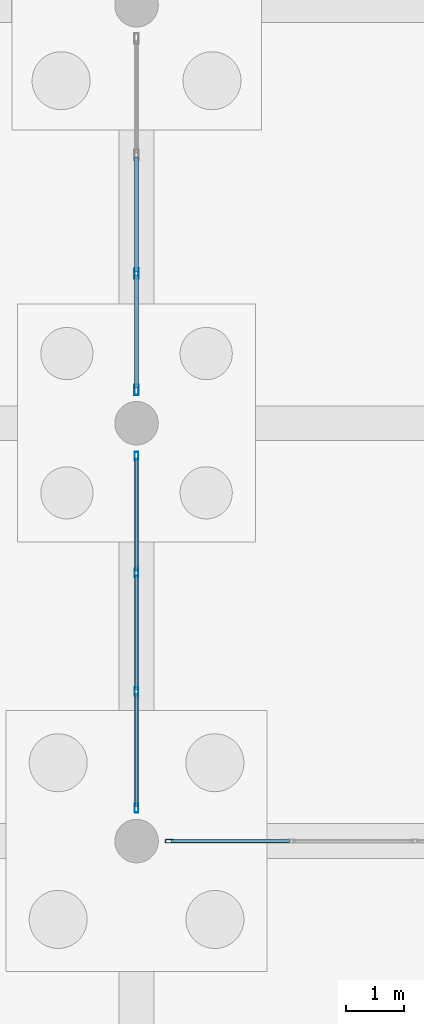
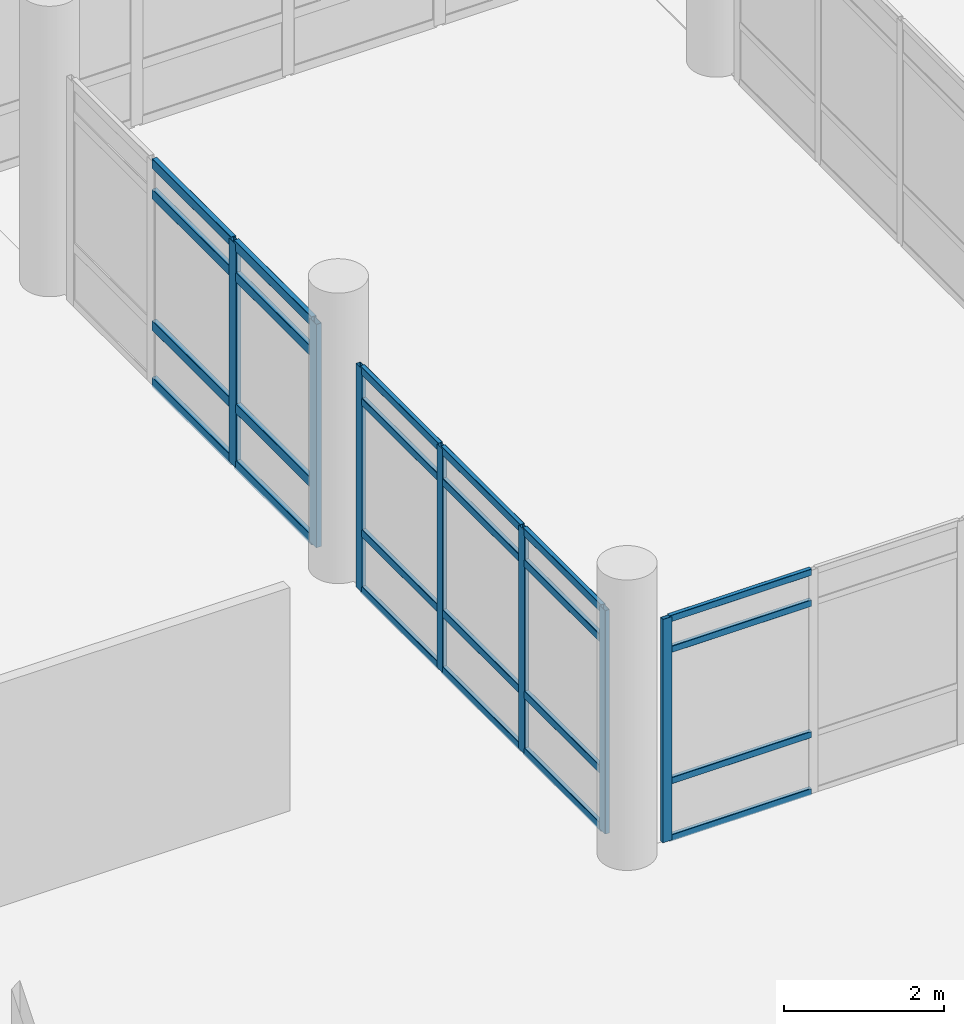
# One storey, part 71 of 196: 31 members, 3 elements without a shape of their own.
"""IFC4 building model written with IfcOpenShell, lengths in metres."""

from ifc_helpers import new_model, si_unit, direction, frame, origin, origin_2d, place, context, subcontext, project, spatial, hollow_rectangle, extrude, material, layer, layer_set, material_profile, profile_set, type_object, element, aggregate, save


model = new_model("IFC4")

# Units and contexts
model_context = context("Model", 3, precision=1e-05, world=origin(), true_north=direction((0.0, 1.0)))
body_context = subcontext(model_context, "Body", "Model", "MODEL_VIEW")
ifc_project = project(units=[si_unit("LENGTHUNIT", "METRE"), si_unit("AREAUNIT", "SQUARE_METRE"), si_unit("VOLUMEUNIT", "CUBIC_METRE"), si_unit("PLANEANGLEUNIT", "RADIAN"), si_unit("MASSUNIT", "GRAM", prefix="KILO")], contexts=[model_context])

# Site, building, storey
site_placement = place(None, origin())
site = spatial("IfcSite", under=ifc_project, at=site_placement, CompositionType="ELEMENT")
building_placement = place(site_placement, origin())
building = spatial("IfcBuilding", under=site, at=building_placement, Name="Asteropetra Specialist Clinic", CompositionType="ELEMENT")
storey_placement = place(building_placement, origin())
storey = spatial("IfcBuildingStorey", under=building, at=storey_placement, Name="L00", CompositionType="ELEMENT", Elevation=0.0)

# Curtain wall, member
ifc_material_1 = material(Name="Aluminium and low-E glass", Category="aluminium")
ifc_layer_1 = layer(ifc_material_1, 0.14990234375)
ifc_layer_set_1 = layer_set([ifc_layer_1], Name="Aluminium and low-E glass")
curtain_wall_type_1 = type_object("IfcCurtainWallType", Name="CW-SYS-08", PredefinedType="USERDEFINED", material=ifc_layer_set_1)
curtain_wall_1_placement = place(storey_placement, origin())
curtain_wall_1 = element("IfcCurtainWall", 1, at=curtain_wall_1_placement, inside=storey, type_object=curtain_wall_type_1, Name="Curtain Wall CW-065", ObjectType="STICK GLAZED COLONNADE", PredefinedType="USERDEFINED")
ifc_material_2 = material(Name="Aluminium 6063-T6", Category="aluminium")
ifc_material_profile_1 = material_profile(ifc_material_2, hollow_rectangle(XDim=0.06005859375, YDim=0.135009765625, WallThickness=0.00341796875, InnerFilletRadius=0.00341796875, OuterFilletRadius=0.007080078125, at=origin_2d()), Name="MUL 135x60x3.5")
ifc_profile_set_1 = profile_set([ifc_material_profile_1], Name="Aluminium 6063-T6")
member_type_1 = type_object("IfcMemberType", Name="CWM-135x60", PredefinedType="MULLION", material=ifc_profile_set_1)
member_1_placement = place(storey_placement, frame((125.364990234375, 19.199951171875, 0.0), z_axis=(0.0, 0.0, 1.0), x_axis=(0.0, 1.0, 0.0)))
member_1 = element("IfcMember", 2, at=member_1_placement, type_object=member_type_1, Name="CW-065 mullion 1", PredefinedType="MULLION", context=body_context, shape_type="SweptSolid", body=[
    extrude(hollow_rectangle(XDim=0.06005859375, YDim=0.135009765625, WallThickness=0.00341796875, InnerFilletRadius=0.00341796875, OuterFilletRadius=0.007080078125, at=origin_2d()), origin(), (0.0, 0.0, 1.0), 3.39990234375),
])

# Curtain wall, members
ifc_material_3 = material(Name="Aluminium and low-E glass", Category="aluminium")
ifc_layer_2 = layer(ifc_material_3, 0.179931640625)
ifc_layer_set_2 = layer_set([ifc_layer_2], Name="Aluminium and low-E glass")
curtain_wall_type_2 = type_object("IfcCurtainWallType", Name="CW-SYS-10", PredefinedType="USERDEFINED", material=ifc_layer_set_2)
curtain_wall_2_placement = place(storey_placement, origin())
curtain_wall_2 = element("IfcCurtainWall", 3, at=curtain_wall_2_placement, inside=storey, type_object=curtain_wall_type_2, Name="Curtain Wall CW-067", ObjectType="STICK GLAZED COLONNADE", PredefinedType="USERDEFINED")
ifc_material_4 = material(Name="Aluminium 6063-T6", Category="aluminium")
ifc_material_profile_2 = material_profile(ifc_material_4, hollow_rectangle(XDim=0.06494140625, YDim=0.14990234375, WallThickness=0.00390625, InnerFilletRadius=0.00390625, OuterFilletRadius=0.008056640625, at=origin_2d()), Name="MUL 150x65x4.0")
ifc_profile_set_2 = profile_set([ifc_material_profile_2], Name="Aluminium 6063-T6")
member_type_2 = type_object("IfcMemberType", Name="CWM-150x65", PredefinedType="MULLION", material=ifc_profile_set_2)
member_2_placement = place(storey_placement, frame((124.800048828125, 25.83251953125, 0.0), z_axis=(0.0, 0.0, 1.0), x_axis=(1.0, 0.0, 0.0)))
member_2 = element("IfcMember", 4, at=member_2_placement, type_object=member_type_2, Name="CW-067 mullion 1", PredefinedType="MULLION", context=body_context, shape_type="SweptSolid", body=[
    extrude(hollow_rectangle(XDim=0.06494140625, YDim=0.14990234375, WallThickness=0.00390625, InnerFilletRadius=0.00390625, OuterFilletRadius=0.008056640625, at=origin_2d()), origin(), (0.0, 0.0, 1.0), 3.39990234375),
])
member_3_placement = place(storey_placement, frame((124.800048828125, 23.82177734375, 0.0), z_axis=(0.0, 0.0, 1.0), x_axis=(1.0, 0.0, 0.0)))
member_3 = element("IfcMember", 5, at=member_3_placement, type_object=member_type_2, Name="CW-067 mullion 2", PredefinedType="MULLION", context=body_context, shape_type="SweptSolid", body=[
    extrude(hollow_rectangle(XDim=0.06494140625, YDim=0.14990234375, WallThickness=0.00390625, InnerFilletRadius=0.00390625, OuterFilletRadius=0.008056640625, at=origin_2d()), origin(), (0.0, 0.0, 1.0), 3.39990234375),
])
member_4_placement = place(storey_placement, frame((124.800048828125, 21.7783203125, 0.0), z_axis=(0.0, 0.0, 1.0), x_axis=(1.0, 0.0, 0.0)))
member_4 = element("IfcMember", 6, at=member_4_placement, type_object=member_type_2, Name="CW-067 mullion 3", PredefinedType="MULLION", context=body_context, shape_type="SweptSolid", body=[
    extrude(hollow_rectangle(XDim=0.06494140625, YDim=0.14990234375, WallThickness=0.00390625, InnerFilletRadius=0.00390625, OuterFilletRadius=0.008056640625, at=origin_2d()), origin(), (0.0, 0.0, 1.0), 3.39990234375),
])
member_5_placement = place(storey_placement, frame((124.800048828125, 19.767578125, 0.0), z_axis=(0.0, 0.0, 1.0), x_axis=(1.0, 0.0, 0.0)))
member_5 = element("IfcMember", 7, at=member_5_placement, type_object=member_type_2, Name="CW-067 mullion 4", PredefinedType="MULLION", context=body_context, shape_type="SweptSolid", body=[
    extrude(hollow_rectangle(XDim=0.06494140625, YDim=0.14990234375, WallThickness=0.00390625, InnerFilletRadius=0.00390625, OuterFilletRadius=0.008056640625, at=origin_2d()), origin(), (0.0, 0.0, 1.0), 3.39990234375),
])

ifc_material_5 = material(Name="Aluminium and low-E glass", Category="aluminium")
ifc_layer_3 = layer(ifc_material_5, 0.14990234375)
ifc_layer_set_3 = layer_set([ifc_layer_3], Name="Aluminium and low-E glass")
curtain_wall_type_3 = type_object("IfcCurtainWallType", Name="CW-SYS-11", PredefinedType="USERDEFINED", material=ifc_layer_set_3)
curtain_wall_3_placement = place(storey_placement, origin())
curtain_wall_3 = element("IfcCurtainWall", 8, at=curtain_wall_3_placement, inside=storey, type_object=curtain_wall_type_3, Name="Curtain Wall CW-069", ObjectType="STICK GLAZED COLONNADE", PredefinedType="USERDEFINED")
ifc_material_6 = material(Name="Aluminium 6063-T6", Category="aluminium")
ifc_material_profile_3 = material_profile(ifc_material_6, hollow_rectangle(XDim=0.074951171875, YDim=0.179931640625, WallThickness=0.00390625, InnerFilletRadius=0.00390625, OuterFilletRadius=0.008056640625, at=origin_2d()), Name="MUL 180x75x4.0")
ifc_profile_set_3 = profile_set([ifc_material_profile_3], Name="Aluminium 6063-T6")
member_type_3 = type_object("IfcMemberType", Name="CWM-180x75", PredefinedType="MULLION", material=ifc_profile_set_3)
member_6_placement = place(storey_placement, frame((124.800048828125, 28.978271484375, 0.0), z_axis=(0.0, 0.0, 1.0), x_axis=(1.0, 0.0, 0.0)))
member_6 = element("IfcMember", 9, at=member_6_placement, type_object=member_type_3, Name="CW-069 mullion 3", PredefinedType="MULLION", context=body_context, shape_type="SweptSolid", body=[
    extrude(hollow_rectangle(XDim=0.074951171875, YDim=0.179931640625, WallThickness=0.00390625, InnerFilletRadius=0.00390625, OuterFilletRadius=0.008056640625, at=origin_2d()), origin(), (0.0, 0.0, 1.0), 3.39990234375),
])
member_7_placement = place(storey_placement, frame((124.800048828125, 26.972412109375, 0.0), z_axis=(0.0, 0.0, 1.0), x_axis=(1.0, 0.0, 0.0)))
member_7 = element("IfcMember", 10, at=member_7_placement, type_object=member_type_3, Name="CW-069 mullion 4", PredefinedType="MULLION", context=body_context, shape_type="SweptSolid", body=[
    extrude(hollow_rectangle(XDim=0.074951171875, YDim=0.179931640625, WallThickness=0.00390625, InnerFilletRadius=0.00390625, OuterFilletRadius=0.008056640625, at=origin_2d()), origin(), (0.0, 0.0, 1.0), 3.39990234375),
])

# Member
ifc_material_7 = material(Name="Aluminium 6063-T6", Category="aluminium")
ifc_material_profile_4 = material_profile(ifc_material_7, hollow_rectangle(XDim=0.06005859375, YDim=0.10009765625, WallThickness=0.00341796875, InnerFilletRadius=0.00341796875, OuterFilletRadius=0.007080078125, at=origin_2d()), Name="TRN 100x60x3.5")
ifc_profile_set_4 = profile_set([ifc_material_profile_4], Name="Aluminium 6063-T6")
member_type_4 = type_object("IfcMemberType", Name="CWT-100x60", PredefinedType="USERDEFINED", material=ifc_profile_set_4)
member_8_placement = place(storey_placement, frame((125.39501953125, 19.199951171875, 0.030029296875), z_axis=(1.0, 0.0, 0.0), x_axis=(0.0, 1.0, 0.0)))
member_8 = element("IfcMember", 11, at=member_8_placement, type_object=member_type_4, Name="CW-065 transom 1.1", ObjectType="TRANSOM", PredefinedType="USERDEFINED", context=body_context, shape_type="SweptSolid", body=[
    extrude(hollow_rectangle(XDim=0.06005859375, YDim=0.10009765625, WallThickness=0.00341796875, InnerFilletRadius=0.00341796875, OuterFilletRadius=0.007080078125, at=origin_2d()), origin(), (0.0, 0.0, 1.0), 2.04248046875),
])

member_9_placement = place(storey_placement, frame((125.39501953125, 19.199951171875, 0.89990234375), z_axis=(1.0, 0.0, 0.0), x_axis=(0.0, 1.0, 0.0)))
member_9 = element("IfcMember", 12, at=member_9_placement, type_object=member_type_4, Name="CW-065 transom 1.2", ObjectType="TRANSOM", PredefinedType="USERDEFINED", context=body_context, shape_type="SweptSolid", body=[
    extrude(hollow_rectangle(XDim=0.06005859375, YDim=0.10009765625, WallThickness=0.00341796875, InnerFilletRadius=0.00341796875, OuterFilletRadius=0.007080078125, at=origin_2d()), origin(), (0.0, 0.0, 1.0), 2.04248046875),
])

member_10_placement = place(storey_placement, frame((125.39501953125, 19.199951171875, 2.89990234375), z_axis=(1.0, 0.0, 0.0), x_axis=(0.0, 1.0, 0.0)))
member_10 = element("IfcMember", 13, at=member_10_placement, type_object=member_type_4, Name="CW-065 transom 1.3", ObjectType="TRANSOM", PredefinedType="USERDEFINED", context=body_context, shape_type="SweptSolid", body=[
    extrude(hollow_rectangle(XDim=0.06005859375, YDim=0.10009765625, WallThickness=0.00341796875, InnerFilletRadius=0.00341796875, OuterFilletRadius=0.007080078125, at=origin_2d()), origin(), (0.0, 0.0, 1.0), 2.04248046875),
])

member_11_placement = place(storey_placement, frame((125.39501953125, 19.199951171875, 3.3701171875), z_axis=(1.0, 0.0, 0.0), x_axis=(0.0, 1.0, 0.0)))
member_11 = element("IfcMember", 14, at=member_11_placement, type_object=member_type_4, Name="CW-065 transom 1.4", ObjectType="TRANSOM", PredefinedType="USERDEFINED", context=body_context, shape_type="SweptSolid", body=[
    extrude(hollow_rectangle(XDim=0.06005859375, YDim=0.10009765625, WallThickness=0.00341796875, InnerFilletRadius=0.00341796875, OuterFilletRadius=0.007080078125, at=origin_2d()), origin(), (0.0, 0.0, 1.0), 2.04248046875),
])

aggregate(curtain_wall_1, [member_1, member_8, member_9, member_10, member_11])

ifc_material_8 = material(Name="Aluminium 6063-T6", Category="aluminium")
ifc_material_profile_5 = material_profile(ifc_material_8, hollow_rectangle(XDim=0.06494140625, YDim=0.1201171875, WallThickness=0.00390625, InnerFilletRadius=0.00390625, OuterFilletRadius=0.008056640625, at=origin_2d()), Name="TRN 120x65x4.0")
ifc_profile_set_5 = profile_set([ifc_material_profile_5], Name="Aluminium 6063-T6")
member_type_5 = type_object("IfcMemberType", Name="CWT-120x65", PredefinedType="USERDEFINED", material=ifc_profile_set_5)
member_12_placement = place(storey_placement, frame((124.800048828125, 25.800048828125, 0.032470703125), z_axis=(0.0, -1.0, 0.0), x_axis=(1.0, 0.0, 0.0)))
member_12 = element("IfcMember", 15, at=member_12_placement, type_object=member_type_5, Name="CW-067 transom 1.1", ObjectType="TRANSOM", PredefinedType="USERDEFINED", context=body_context, shape_type="SweptSolid", body=[
    extrude(hollow_rectangle(XDim=0.06494140625, YDim=0.1201171875, WallThickness=0.00390625, InnerFilletRadius=0.00390625, OuterFilletRadius=0.008056640625, at=origin_2d()), origin(), (0.0, 0.0, 1.0), 1.94580078125),
])

member_13_placement = place(storey_placement, frame((124.800048828125, 25.800048828125, 0.89990234375), z_axis=(0.0, -1.0, 0.0), x_axis=(1.0, 0.0, 0.0)))
member_13 = element("IfcMember", 16, at=member_13_placement, type_object=member_type_5, Name="CW-067 transom 1.2", ObjectType="TRANSOM", PredefinedType="USERDEFINED", context=body_context, shape_type="SweptSolid", body=[
    extrude(hollow_rectangle(XDim=0.06494140625, YDim=0.1201171875, WallThickness=0.00390625, InnerFilletRadius=0.00390625, OuterFilletRadius=0.008056640625, at=origin_2d()), origin(), (0.0, 0.0, 1.0), 1.94580078125),
])

member_14_placement = place(storey_placement, frame((124.800048828125, 25.800048828125, 2.89990234375), z_axis=(0.0, -1.0, 0.0), x_axis=(1.0, 0.0, 0.0)))
member_14 = element("IfcMember", 17, at=member_14_placement, type_object=member_type_5, Name="CW-067 transom 1.3", ObjectType="TRANSOM", PredefinedType="USERDEFINED", context=body_context, shape_type="SweptSolid", body=[
    extrude(hollow_rectangle(XDim=0.06494140625, YDim=0.1201171875, WallThickness=0.00390625, InnerFilletRadius=0.00390625, OuterFilletRadius=0.008056640625, at=origin_2d()), origin(), (0.0, 0.0, 1.0), 1.94580078125),
])

member_15_placement = place(storey_placement, frame((124.800048828125, 25.800048828125, 3.367431640625), z_axis=(0.0, -1.0, 0.0), x_axis=(1.0, 0.0, 0.0)))
member_15 = element("IfcMember", 18, at=member_15_placement, type_object=member_type_5, Name="CW-067 transom 1.4", ObjectType="TRANSOM", PredefinedType="USERDEFINED", context=body_context, shape_type="SweptSolid", body=[
    extrude(hollow_rectangle(XDim=0.06494140625, YDim=0.1201171875, WallThickness=0.00390625, InnerFilletRadius=0.00390625, OuterFilletRadius=0.008056640625, at=origin_2d()), origin(), (0.0, 0.0, 1.0), 1.94580078125),
])

member_16_placement = place(storey_placement, frame((124.800048828125, 23.7890625, 0.032470703125), z_axis=(0.0, -1.0, 0.0), x_axis=(1.0, 0.0, 0.0)))
member_16 = element("IfcMember", 19, at=member_16_placement, type_object=member_type_5, Name="CW-067 transom 2.1", ObjectType="TRANSOM", PredefinedType="USERDEFINED", context=body_context, shape_type="SweptSolid", body=[
    extrude(hollow_rectangle(XDim=0.06494140625, YDim=0.1201171875, WallThickness=0.00390625, InnerFilletRadius=0.00390625, OuterFilletRadius=0.008056640625, at=origin_2d()), origin(), (0.0, 0.0, 1.0), 1.978271484375),
])

member_17_placement = place(storey_placement, frame((124.800048828125, 23.7890625, 0.89990234375), z_axis=(0.0, -1.0, 0.0), x_axis=(1.0, 0.0, 0.0)))
member_17 = element("IfcMember", 20, at=member_17_placement, type_object=member_type_5, Name="CW-067 transom 2.2", ObjectType="TRANSOM", PredefinedType="USERDEFINED", context=body_context, shape_type="SweptSolid", body=[
    extrude(hollow_rectangle(XDim=0.06494140625, YDim=0.1201171875, WallThickness=0.00390625, InnerFilletRadius=0.00390625, OuterFilletRadius=0.008056640625, at=origin_2d()), origin(), (0.0, 0.0, 1.0), 1.978271484375),
])

member_18_placement = place(storey_placement, frame((124.800048828125, 23.7890625, 2.89990234375), z_axis=(0.0, -1.0, 0.0), x_axis=(1.0, 0.0, 0.0)))
member_18 = element("IfcMember", 21, at=member_18_placement, type_object=member_type_5, Name="CW-067 transom 2.3", ObjectType="TRANSOM", PredefinedType="USERDEFINED", context=body_context, shape_type="SweptSolid", body=[
    extrude(hollow_rectangle(XDim=0.06494140625, YDim=0.1201171875, WallThickness=0.00390625, InnerFilletRadius=0.00390625, OuterFilletRadius=0.008056640625, at=origin_2d()), origin(), (0.0, 0.0, 1.0), 1.978271484375),
])

member_19_placement = place(storey_placement, frame((124.800048828125, 23.7890625, 3.367431640625), z_axis=(0.0, -1.0, 0.0), x_axis=(1.0, 0.0, 0.0)))
member_19 = element("IfcMember", 22, at=member_19_placement, type_object=member_type_5, Name="CW-067 transom 2.4", ObjectType="TRANSOM", PredefinedType="USERDEFINED", context=body_context, shape_type="SweptSolid", body=[
    extrude(hollow_rectangle(XDim=0.06494140625, YDim=0.1201171875, WallThickness=0.00390625, InnerFilletRadius=0.00390625, OuterFilletRadius=0.008056640625, at=origin_2d()), origin(), (0.0, 0.0, 1.0), 1.978271484375),
])

member_20_placement = place(storey_placement, frame((124.800048828125, 21.745849609375, 0.032470703125), z_axis=(0.0, -1.0, 0.0), x_axis=(1.0, 0.0, 0.0)))
member_20 = element("IfcMember", 23, at=member_20_placement, type_object=member_type_5, Name="CW-067 transom 3.1", ObjectType="TRANSOM", PredefinedType="USERDEFINED", context=body_context, shape_type="SweptSolid", body=[
    extrude(hollow_rectangle(XDim=0.06494140625, YDim=0.1201171875, WallThickness=0.00390625, InnerFilletRadius=0.00390625, OuterFilletRadius=0.008056640625, at=origin_2d()), origin(), (0.0, 0.0, 1.0), 1.94580078125),
])

member_21_placement = place(storey_placement, frame((124.800048828125, 21.745849609375, 0.89990234375), z_axis=(0.0, -1.0, 0.0), x_axis=(1.0, 0.0, 0.0)))
member_21 = element("IfcMember", 24, at=member_21_placement, type_object=member_type_5, Name="CW-067 transom 3.2", ObjectType="TRANSOM", PredefinedType="USERDEFINED", context=body_context, shape_type="SweptSolid", body=[
    extrude(hollow_rectangle(XDim=0.06494140625, YDim=0.1201171875, WallThickness=0.00390625, InnerFilletRadius=0.00390625, OuterFilletRadius=0.008056640625, at=origin_2d()), origin(), (0.0, 0.0, 1.0), 1.94580078125),
])

member_22_placement = place(storey_placement, frame((124.800048828125, 21.745849609375, 2.89990234375), z_axis=(0.0, -1.0, 0.0), x_axis=(1.0, 0.0, 0.0)))
member_22 = element("IfcMember", 25, at=member_22_placement, type_object=member_type_5, Name="CW-067 transom 3.3", ObjectType="TRANSOM", PredefinedType="USERDEFINED", context=body_context, shape_type="SweptSolid", body=[
    extrude(hollow_rectangle(XDim=0.06494140625, YDim=0.1201171875, WallThickness=0.00390625, InnerFilletRadius=0.00390625, OuterFilletRadius=0.008056640625, at=origin_2d()), origin(), (0.0, 0.0, 1.0), 1.94580078125),
])

member_23_placement = place(storey_placement, frame((124.800048828125, 21.745849609375, 3.367431640625), z_axis=(0.0, -1.0, 0.0), x_axis=(1.0, 0.0, 0.0)))
member_23 = element("IfcMember", 26, at=member_23_placement, type_object=member_type_5, Name="CW-067 transom 3.4", ObjectType="TRANSOM", PredefinedType="USERDEFINED", context=body_context, shape_type="SweptSolid", body=[
    extrude(hollow_rectangle(XDim=0.06494140625, YDim=0.1201171875, WallThickness=0.00390625, InnerFilletRadius=0.00390625, OuterFilletRadius=0.008056640625, at=origin_2d()), origin(), (0.0, 0.0, 1.0), 1.94580078125),
])

aggregate(curtain_wall_2, [member_2, member_3, member_4, member_5, member_12, member_13, member_14, member_15, member_16, member_17, member_18, member_19, member_20, member_21, member_22, member_23])

ifc_material_9 = material(Name="Aluminium 6063-T6", Category="aluminium")
ifc_material_profile_6 = material_profile(ifc_material_9, hollow_rectangle(XDim=0.074951171875, YDim=0.14990234375, WallThickness=0.00390625, InnerFilletRadius=0.00390625, OuterFilletRadius=0.008056640625, at=origin_2d()), Name="TRN 150x75x4.0")
ifc_profile_set_6 = profile_set([ifc_material_profile_6], Name="Aluminium 6063-T6")
member_type_6 = type_object("IfcMemberType", Name="CWT-150x75", PredefinedType="USERDEFINED", material=ifc_profile_set_6)
member_24_placement = place(storey_placement, frame((124.800048828125, 30.984130859375, 0.03759765625), z_axis=(0.0, -1.0, 0.0), x_axis=(1.0, 0.0, 0.0)))
member_24 = element("IfcMember", 27, at=member_24_placement, type_object=member_type_6, Name="CW-069 transom 2.1", ObjectType="TRANSOM", PredefinedType="USERDEFINED", context=body_context, shape_type="SweptSolid", body=[
    extrude(hollow_rectangle(XDim=0.074951171875, YDim=0.14990234375, WallThickness=0.00390625, InnerFilletRadius=0.00390625, OuterFilletRadius=0.008056640625, at=origin_2d()), origin(), (0.0, 0.0, 1.0), 1.96826171875),
])

member_25_placement = place(storey_placement, frame((124.800048828125, 30.984130859375, 0.89990234375), z_axis=(0.0, -1.0, 0.0), x_axis=(1.0, 0.0, 0.0)))
member_25 = element("IfcMember", 28, at=member_25_placement, type_object=member_type_6, Name="CW-069 transom 2.2", ObjectType="TRANSOM", PredefinedType="USERDEFINED", context=body_context, shape_type="SweptSolid", body=[
    extrude(hollow_rectangle(XDim=0.074951171875, YDim=0.14990234375, WallThickness=0.00390625, InnerFilletRadius=0.00390625, OuterFilletRadius=0.008056640625, at=origin_2d()), origin(), (0.0, 0.0, 1.0), 1.96826171875),
])

member_26_placement = place(storey_placement, frame((124.800048828125, 30.984130859375, 2.89990234375), z_axis=(0.0, -1.0, 0.0), x_axis=(1.0, 0.0, 0.0)))
member_26 = element("IfcMember", 29, at=member_26_placement, type_object=member_type_6, Name="CW-069 transom 2.3", ObjectType="TRANSOM", PredefinedType="USERDEFINED", context=body_context, shape_type="SweptSolid", body=[
    extrude(hollow_rectangle(XDim=0.074951171875, YDim=0.14990234375, WallThickness=0.00390625, InnerFilletRadius=0.00390625, OuterFilletRadius=0.008056640625, at=origin_2d()), origin(), (0.0, 0.0, 1.0), 1.96826171875),
])

member_27_placement = place(storey_placement, frame((124.800048828125, 30.984130859375, 3.362548828125), z_axis=(0.0, -1.0, 0.0), x_axis=(1.0, 0.0, 0.0)))
member_27 = element("IfcMember", 30, at=member_27_placement, type_object=member_type_6, Name="CW-069 transom 2.4", ObjectType="TRANSOM", PredefinedType="USERDEFINED", context=body_context, shape_type="SweptSolid", body=[
    extrude(hollow_rectangle(XDim=0.074951171875, YDim=0.14990234375, WallThickness=0.00390625, InnerFilletRadius=0.00390625, OuterFilletRadius=0.008056640625, at=origin_2d()), origin(), (0.0, 0.0, 1.0), 1.96826171875),
])

member_28_placement = place(storey_placement, frame((124.800048828125, 28.94091796875, 0.03759765625), z_axis=(0.0, -1.0, 0.0), x_axis=(1.0, 0.0, 0.0)))
member_28 = element("IfcMember", 31, at=member_28_placement, type_object=member_type_6, Name="CW-069 transom 3.1", ObjectType="TRANSOM", PredefinedType="USERDEFINED", context=body_context, shape_type="SweptSolid", body=[
    extrude(hollow_rectangle(XDim=0.074951171875, YDim=0.14990234375, WallThickness=0.00390625, InnerFilletRadius=0.00390625, OuterFilletRadius=0.008056640625, at=origin_2d()), origin(), (0.0, 0.0, 1.0), 1.930908203125),
])

member_29_placement = place(storey_placement, frame((124.800048828125, 28.94091796875, 0.89990234375), z_axis=(0.0, -1.0, 0.0), x_axis=(1.0, 0.0, 0.0)))
member_29 = element("IfcMember", 32, at=member_29_placement, type_object=member_type_6, Name="CW-069 transom 3.2", ObjectType="TRANSOM", PredefinedType="USERDEFINED", context=body_context, shape_type="SweptSolid", body=[
    extrude(hollow_rectangle(XDim=0.074951171875, YDim=0.14990234375, WallThickness=0.00390625, InnerFilletRadius=0.00390625, OuterFilletRadius=0.008056640625, at=origin_2d()), origin(), (0.0, 0.0, 1.0), 1.930908203125),
])

member_30_placement = place(storey_placement, frame((124.800048828125, 28.94091796875, 2.89990234375), z_axis=(0.0, -1.0, 0.0), x_axis=(1.0, 0.0, 0.0)))
member_30 = element("IfcMember", 33, at=member_30_placement, type_object=member_type_6, Name="CW-069 transom 3.3", ObjectType="TRANSOM", PredefinedType="USERDEFINED", context=body_context, shape_type="SweptSolid", body=[
    extrude(hollow_rectangle(XDim=0.074951171875, YDim=0.14990234375, WallThickness=0.00390625, InnerFilletRadius=0.00390625, OuterFilletRadius=0.008056640625, at=origin_2d()), origin(), (0.0, 0.0, 1.0), 1.930908203125),
])

member_31_placement = place(storey_placement, frame((124.800048828125, 28.94091796875, 3.362548828125), z_axis=(0.0, -1.0, 0.0), x_axis=(1.0, 0.0, 0.0)))
member_31 = element("IfcMember", 34, at=member_31_placement, type_object=member_type_6, Name="CW-069 transom 3.4", ObjectType="TRANSOM", PredefinedType="USERDEFINED", context=body_context, shape_type="SweptSolid", body=[
    extrude(hollow_rectangle(XDim=0.074951171875, YDim=0.14990234375, WallThickness=0.00390625, InnerFilletRadius=0.00390625, OuterFilletRadius=0.008056640625, at=origin_2d()), origin(), (0.0, 0.0, 1.0), 1.930908203125),
])

aggregate(curtain_wall_3, [member_6, member_7, member_24, member_25, member_26, member_27, member_28, member_29, member_30, member_31])

save(model, "model.ifc")
